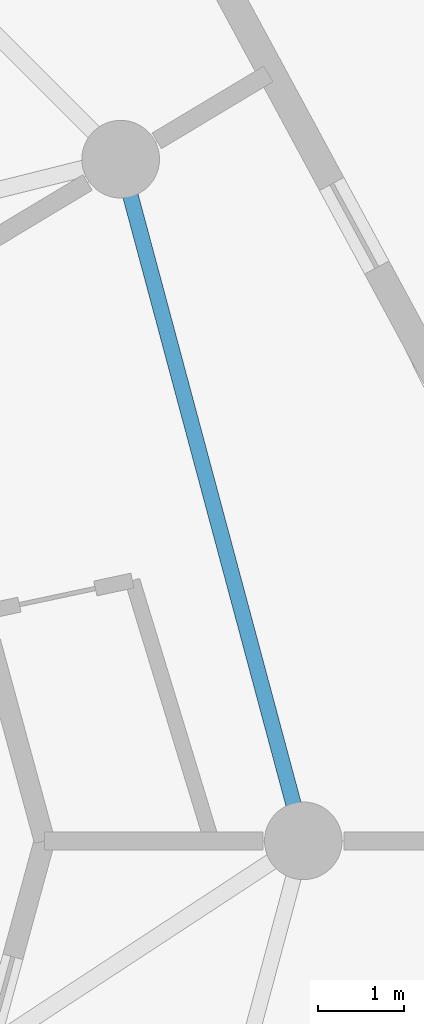
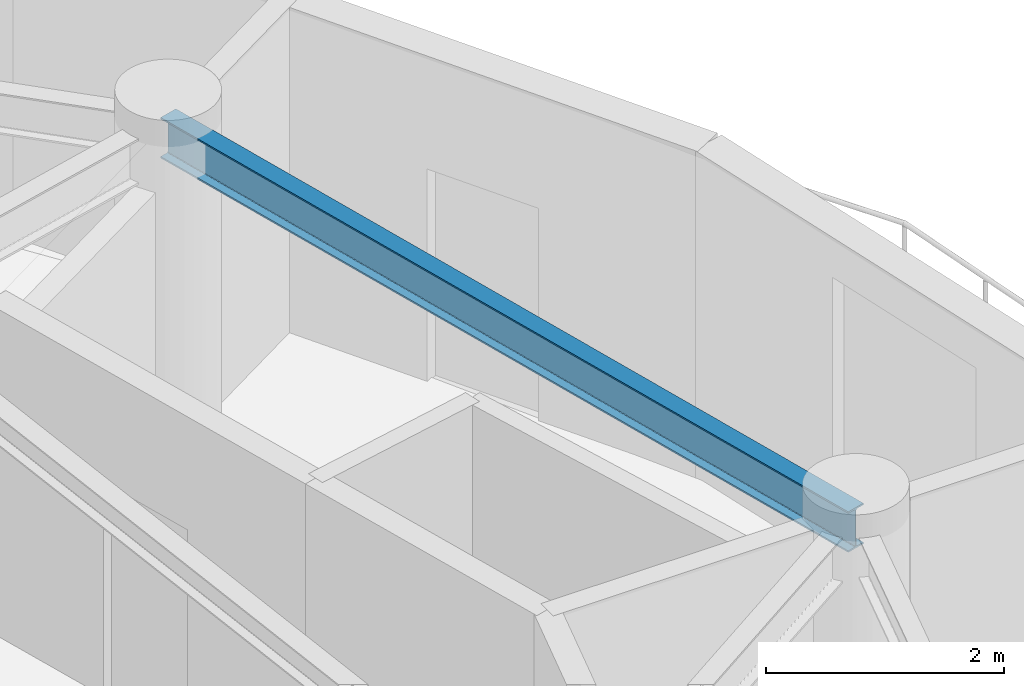
# One storey, part 13 of 23: 1 beam.
"""IFC4 building model written with IfcOpenShell, lengths in metres."""

from ifc_helpers import new_model, si_unit, direction, frame, origin, origin_2d, place, context, subcontext, project, spatial, i_section, extrude, material, material_profile, profile_set, type_object, element, save


model = new_model("IFC4")

# Units and contexts
model_context = context("Model", 3, precision=1e-05, world=origin(), true_north=direction((0.0, 1.0)))
body_context = subcontext(model_context, "Body", "Model", "MODEL_VIEW")
ifc_project = project(units=[si_unit("LENGTHUNIT", "METRE"), si_unit("AREAUNIT", "SQUARE_METRE"), si_unit("VOLUMEUNIT", "CUBIC_METRE"), si_unit("PLANEANGLEUNIT", "RADIAN"), si_unit("MASSUNIT", "GRAM", prefix="KILO")], contexts=[model_context])

# Site, building, storey
site_placement = place(None, origin())
site = spatial("IfcSite", under=ifc_project, at=site_placement, CompositionType="ELEMENT")
building_placement = place(site_placement, origin())
building = spatial("IfcBuilding", under=site, at=building_placement, Name="Solvirekh Grand Hotel", CompositionType="ELEMENT")
storey_placement = place(building_placement, frame((0.0, 0.0, 176.800048828125)))
storey = spatial("IfcBuildingStorey", under=building, at=storey_placement, Name="L45", CompositionType="ELEMENT", Elevation=176.800048828125)

# Beam
ifc_material = material(Name="Steel S355", Category="steel")
ifc_material_profile = material_profile(ifc_material, i_section(OverallWidth=0.180908203125, OverallDepth=0.4169921875, WebThickness=0.010009765625, FlangeThickness=0.01611328125, FilletRadius=0.011962890625, at=origin_2d()), Name="W410X85")
ifc_profile_set = profile_set([ifc_material_profile], Name="Steel S355")
beam_type = type_object("IfcBeamType", Name="Spandrel_Ring_W410", PredefinedType="SPANDREL", material=ifc_profile_set)
beam_placement = place(storey_placement, frame((15.800048828125, 0.0, 3.15185546875), z_axis=(-0.258838541915, 0.965920601923, 0.0), x_axis=(-0.965920601923, -0.258838541915, 0.0)))
element("IfcBeam", 1, at=beam_placement, inside=storey, type_object=beam_type, Name="L45 perimeter spandrel beam 1", PredefinedType="SPANDREL", context=body_context, shape_type="SweptSolid", body=[
    extrude(i_section(OverallWidth=0.180908203125, OverallDepth=0.4169921875, WebThickness=0.010009765625, FlangeThickness=0.01611328125, FilletRadius=0.011962890625, at=origin_2d()), origin(), (0.0, 0.0, 1.0), 8.1787109375),
])

save(model, "model.ifc")
